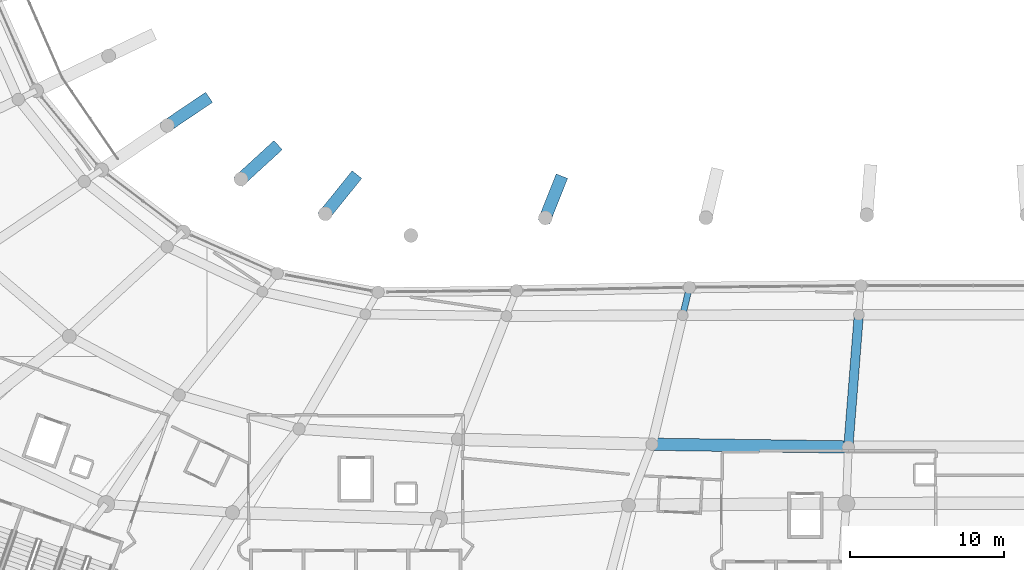
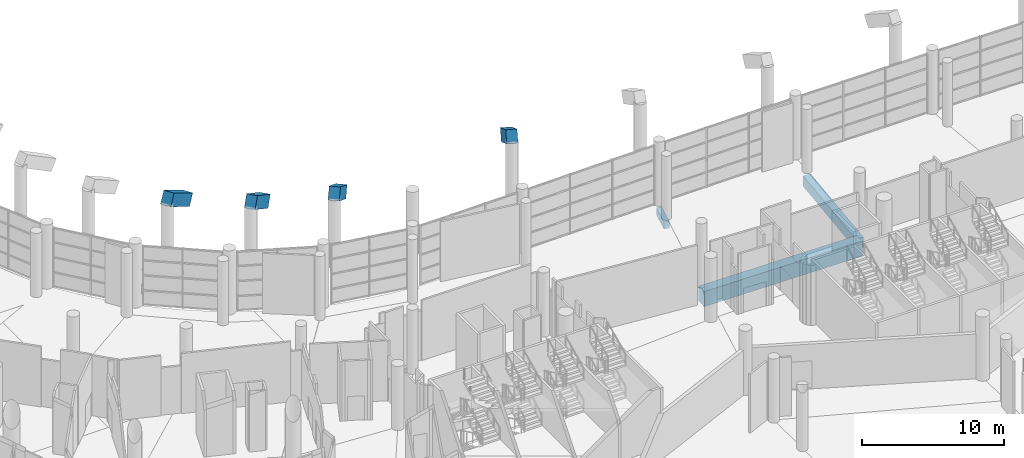
# One storey, part 26 of 271: 7 beams.
"""IFC4 building model written with IfcOpenShell, lengths in metres."""

from ifc_helpers import new_model, si_unit, direction, frame, origin, origin_2d, place, context, subcontext, project, spatial, rectangle, extrude, material, material_profile, profile_set, type_object, element, save


model = new_model("IFC4")

# Units and contexts
model_context = context("Model", 3, precision=1e-05, world=origin(), true_north=direction((0.0, 1.0)))
body_context = subcontext(model_context, "Body", "Model", "MODEL_VIEW")
ifc_project = project(units=[si_unit("LENGTHUNIT", "METRE"), si_unit("AREAUNIT", "SQUARE_METRE"), si_unit("VOLUMEUNIT", "CUBIC_METRE"), si_unit("PLANEANGLEUNIT", "RADIAN"), si_unit("MASSUNIT", "GRAM", prefix="KILO")], contexts=[model_context])

# Site, building, storey
site_placement = place(None, origin())
site = spatial("IfcSite", under=ifc_project, at=site_placement, CompositionType="ELEMENT")
building_placement = place(site_placement, origin())
building = spatial("IfcBuilding", under=site, at=building_placement, Name="Meseta Stadium", CompositionType="ELEMENT")
storey_placement = place(building_placement, frame((0.0, 0.0, 6.5)))
storey = spatial("IfcBuildingStorey", under=building, at=storey_placement, Name="L01", CompositionType="ELEMENT", Elevation=6.5)

# Beams
ifc_material_1 = material(Name="Concrete C40/50", Category="concrete")
ifc_material_profile_1 = material_profile(ifc_material_1, rectangle(XDim=0.39990234375, YDim=0.60009765625, at=origin_2d()), Name="RC 400x600")
ifc_profile_set_1 = profile_set([ifc_material_profile_1], Name="Concrete C40/50")
beam_type_1 = type_object("IfcBeamType", Name="RC beam 400x600", PredefinedType="BEAM", material=ifc_profile_set_1)
beam_1_placement = place(storey_placement, frame((-16.697509765625, -75.529296875, -0.64990234375), z_axis=(-0.231608653228, -0.97280904177, 0.0), x_axis=(0.97280904177, -0.231608653228, 0.0)))
element("IfcBeam", 1, at=beam_1_placement, inside=storey, type_object=beam_type_1, Name="L01 radial beam frame 45 line C to D", PredefinedType="BEAM", context=body_context, shape_type="SweptSolid", body=[
    extrude(rectangle(XDim=0.39990234375, YDim=0.60009765625, at=origin_2d()), origin(), (0.0, 0.0, 1.0), 1.85302734375),
])
ifc_material_2 = material(Name="Concrete C40/50", Category="concrete")
ifc_material_profile_2 = material_profile(ifc_material_2, rectangle(XDim=0.60009765625, YDim=0.89990234375, at=origin_2d()), Name="RC 600x900")
ifc_profile_set_2 = profile_set([ifc_material_profile_2], Name="Concrete C40/50")
beam_type_2 = type_object("IfcBeamType", Name="RC beam 600x900", PredefinedType="BEAM", material=ifc_profile_set_2)
beam_2_placement = place(storey_placement, frame((-5.70654296875, -77.3037109375, -0.800048828125), z_axis=(-0.079118987749, -0.996865179338, 0.0), x_axis=(0.996865179338, -0.079118987749, 0.0)))
element("IfcBeam", 2, at=beam_2_placement, inside=storey, type_object=beam_type_2, Name="L01 radial beam frame 46 line D to E", PredefinedType="BEAM", context=body_context, shape_type="SweptSolid", body=[
    extrude(rectangle(XDim=0.60009765625, YDim=0.89990234375, at=origin_2d()), origin(), (0.0, 0.0, 1.0), 8.599853515625),
])
ifc_material_3 = material(Name="Concrete C40/50", Category="concrete")
ifc_material_profile_3 = material_profile(ifc_material_3, rectangle(XDim=0.800048828125, YDim=1.300048828125, at=origin_2d()), Name="RC 800x1300")
ifc_profile_set_3 = profile_set([ifc_material_profile_3], Name="Concrete C40/50")
beam_type_3 = type_object("IfcBeamType", Name="RC beam 800x1300", PredefinedType="BEAM", material=ifc_profile_set_3)
beam_3_placement = place(storey_placement, frame((-19.11865234375, -85.6982421875, -1.0), z_axis=(0.999901768948, -0.014016149746, 0.0), x_axis=(0.014016149746, 0.999901768948, 0.0)))
element("IfcBeam", 3, at=beam_3_placement, inside=storey, type_object=beam_type_3, Name="L01 ring beam frame 45 line E", PredefinedType="BEAM", context=body_context, shape_type="SweptSolid", body=[
    extrude(rectangle(XDim=0.800048828125, YDim=1.300048828125, at=origin_2d()), origin(), (0.0, 0.0, 1.0), 12.73291015625),
])
ifc_material_4 = material(Name="Concrete C40/50", Category="concrete")
ifc_material_profile_4 = material_profile(ifc_material_4, rectangle(XDim=0.800048828125, YDim=1.0, at=origin_2d()), Name="RC 800x1000")
ifc_profile_set_4 = profile_set([ifc_material_profile_4], Name="Concrete C40/50")
beam_type_4 = type_object("IfcBeamType", Name="RC raker upper front 800x1000", PredefinedType="USERDEFINED", material=ifc_profile_set_4)
for number, where, z_axis, x_axis, name in (
    (4, (-48.06640625, -63.3427734375, 3.998779296875), (-0.703375507404, -0.47478709999, 0.528999154316), (0.559479843293, -0.828843956936, 0.0), "Raker upper front frame 40 upper tier"),
    (5, (-43.564208984375, -66.47412109375, 4.15869140625), (-0.625964604267, -0.572995181112, 0.529003626289), (0.675208545537, -0.737626884024, 0.0), "Raker upper front frame 41 upper tier"),
    (6, (-38.423583984375, -68.41357421875, 4.3076171875), (-0.533019874974, -0.660439111736, 0.528876159958), (0.778178252759, -0.628043475352, 0.0), "Raker upper front frame 42 upper tier"),
):
    element("IfcBeam", number, at=place(storey_placement, frame(where, z_axis=z_axis, x_axis=x_axis)), inside=storey, type_object=beam_type_4, Name=name, ObjectType="RAKER", PredefinedType="USERDEFINED", context=body_context, shape_type="SweptSolid", body=[
        extrude(rectangle(XDim=0.800048828125, YDim=1.0, at=origin_2d()), origin(), (0.0, 0.0, 1.0), 3.53515625),
    ])
beam_4_placement = place(storey_placement, frame((-25.060791015625, -68.552978515625, 4.59375), z_axis=(-0.313018455476, -0.788765825572, 0.529025442622), x_axis=(0.929484188921, -0.368861955948, 0.0)))
element("IfcBeam", 7, at=beam_4_placement, inside=storey, type_object=beam_type_4, Name="Raker upper front frame 44 upper tier", ObjectType="RAKER", PredefinedType="USERDEFINED", context=body_context, shape_type="SweptSolid", body=[
    extrude(rectangle(XDim=0.800048828125, YDim=1.0, at=origin_2d()), origin(), (0.0, 0.0, 1.0), 3.12060546875),
])

save(model, "model.ifc")
